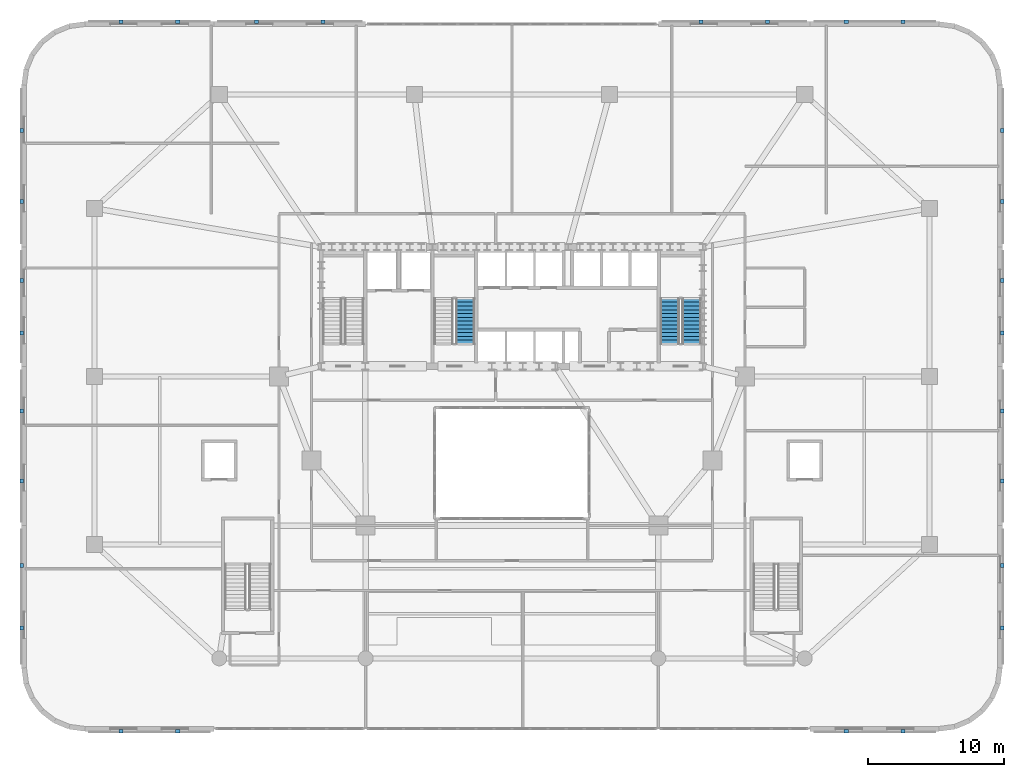
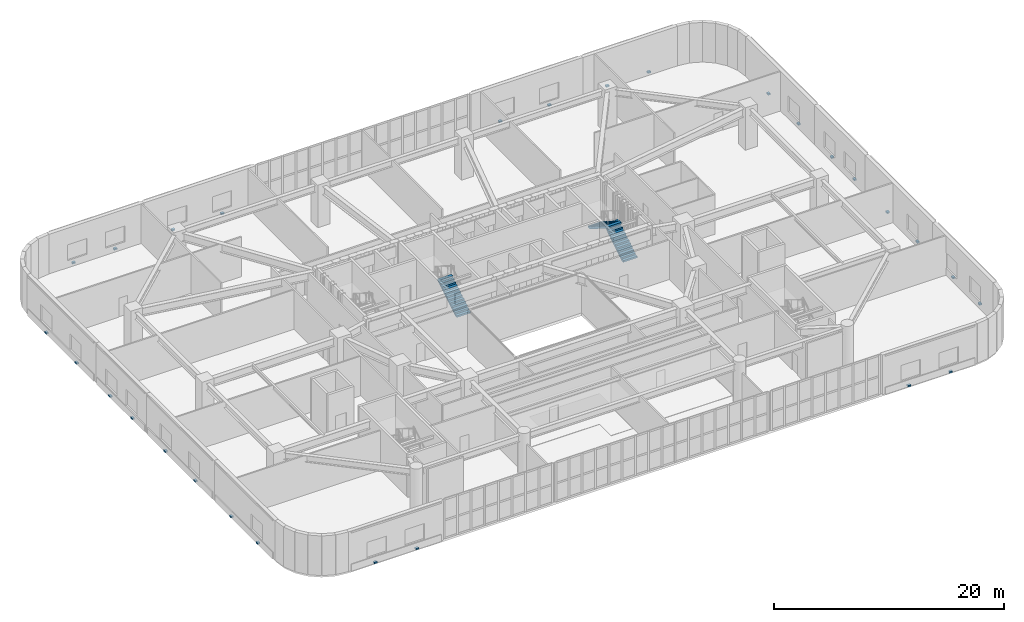
# One storey, part 18 of 25: 28 discrete accessories, 3 stair flights, 2 elements without a shape of their own.
"""IFC4 building model written with IfcOpenShell, lengths in metres."""

from ifc_helpers import new_model, si_unit, direction, frame, origin, origin_2d, place, context, subcontext, project, spatial, polyline, rectangle, outline, extrude, material, type_object, element, aggregate, save


model = new_model("IFC4")

# Units and contexts
model_context = context("Model", 3, precision=1e-05, world=origin(), true_north=direction((0.0, 1.0)))
body_context = subcontext(model_context, "Body", "Model", "MODEL_VIEW")
ifc_project = project(units=[si_unit("LENGTHUNIT", "METRE"), si_unit("AREAUNIT", "SQUARE_METRE"), si_unit("VOLUMEUNIT", "CUBIC_METRE"), si_unit("PLANEANGLEUNIT", "RADIAN"), si_unit("MASSUNIT", "GRAM", prefix="KILO")], contexts=[model_context])

# Site, building, storey
site_placement = place(None, origin())
site = spatial("IfcSite", under=ifc_project, at=site_placement, CompositionType="ELEMENT")
building_placement = place(site_placement, origin())
building = spatial("IfcBuilding", under=site, at=building_placement, Name="Haldorwick Loom Tower", CompositionType="ELEMENT")
storey_placement = place(building_placement, frame((0.0, 0.0, 10.5)))
storey = spatial("IfcBuildingStorey", under=building, at=storey_placement, Name="L02", CompositionType="ELEMENT", Elevation=10.5)

# Stair, stair flights
ifc_material_1 = material(Name="Concrete C40 (40 MPa)", Category="concrete")
stair_type = type_object("IfcStairType", Name="STR-STR-CORE", PredefinedType="HALF_TURN_STAIR", material=ifc_material_1)
stair_1_placement = place(storey_placement, origin())
stair_1 = element("IfcStair", 1, at=stair_1_placement, inside=storey, type_object=stair_type, Name="L02 Exit Stair ST-02", PredefinedType="HALF_TURN_STAIR")
stair_flight_type = type_object("IfcStairFlightType", Name="STR-STF-1250", PredefinedType="STRAIGHT", material=ifc_material_1)
stair_flight_1_placement = place(storey_placement, frame((49.25, 28.39990234375, 0.0), z_axis=(0.0, 0.0, 1.0), x_axis=(0.0, 1.0, 0.0)))
stair_flight_1 = element("IfcStairFlight", 2, at=stair_flight_1_placement, type_object=stair_flight_type, Name="ST-02 flight 1", NumberOfRisers=13, NumberOfTreads=12, PredefinedType="STRAIGHT", RiserHeight=0.173076923, TreadLength=0.28, context=body_context, shape_type="SweptSolid", body=[
    extrude(outline(polyline([(0.0, 0.0), (0.0, 0.173095703125), (0.280029296875, 0.173095703125), (0.280029296875, 0.34619140625), (0.56005859375, 0.34619140625), (0.56005859375, 0.519287109375), (0.840087890625, 0.519287109375), (0.840087890625, 0.6923828125), (1.1201171875, 0.6923828125), (1.1201171875, 0.865478515625), (1.39990234375, 0.865478515625), (1.39990234375, 1.03857421875), (1.679931640625, 1.03857421875), (1.679931640625, 1.21142578125), (1.9599609375, 1.21142578125), (1.9599609375, 1.384521484375), (2.239990234375, 1.384521484375), (2.239990234375, 1.5576171875), (2.52001953125, 1.5576171875), (2.52001953125, 1.730712890625), (2.800048828125, 1.730712890625), (2.800048828125, 1.90380859375), (3.080078125, 1.90380859375), (3.080078125, 2.076904296875), (3.360107421875, 2.076904296875), (3.360107421875, 2.25), (3.360107421875, 1.900634765625), (0.28515625, 0.0), (0.0, 0.0)])), frame((0.0, 0.699951171875, 0.0), z_axis=(0.0, -1.0, 0.0), x_axis=(1.0, 0.0, 0.0)), (0.0, 0.0, 1.0), 1.39990234375),
])
stair_flight_2_placement = place(storey_placement, frame((47.64990234375, 31.760009765625, 2.25), z_axis=(0.0, 0.0, 1.0), x_axis=(0.0, -1.0, 0.0)))
stair_flight_2 = element("IfcStairFlight", 3, at=stair_flight_2_placement, type_object=stair_flight_type, Name="ST-02 flight 2", NumberOfRisers=13, NumberOfTreads=12, PredefinedType="STRAIGHT", RiserHeight=0.173076923, TreadLength=0.28, context=body_context, shape_type="SweptSolid", body=[
    extrude(outline(polyline([(0.0, 0.0), (0.0, 0.173095703125), (0.280029296875, 0.173095703125), (0.280029296875, 0.34619140625), (0.56005859375, 0.34619140625), (0.56005859375, 0.519287109375), (0.840087890625, 0.519287109375), (0.840087890625, 0.6923828125), (1.1201171875, 0.6923828125), (1.1201171875, 0.865478515625), (1.39990234375, 0.865478515625), (1.39990234375, 1.03857421875), (1.679931640625, 1.03857421875), (1.679931640625, 1.21142578125), (1.9599609375, 1.21142578125), (1.9599609375, 1.384521484375), (2.239990234375, 1.384521484375), (2.239990234375, 1.5576171875), (2.52001953125, 1.5576171875), (2.52001953125, 1.730712890625), (2.800048828125, 1.730712890625), (2.800048828125, 1.90380859375), (3.080078125, 1.90380859375), (3.080078125, 2.076904296875), (3.360107421875, 2.076904296875), (3.360107421875, 2.25), (3.360107421875, 1.900634765625), (0.28515625, 0.0), (0.0, 0.0)])), frame((0.0, 0.699951171875, 0.0), z_axis=(0.0, -1.0, 0.0), x_axis=(1.0, 0.0, 0.0)), (0.0, 0.0, 1.0), 1.39990234375),
])
aggregate(stair_1, [stair_flight_1, stair_flight_2])

# Stair, stair flight
stair_2_placement = place(storey_placement, origin())
stair_2 = element("IfcStair", 4, at=stair_2_placement, inside=storey, type_object=stair_type, Name="L02 Exit Stair ST-03", PredefinedType="HALF_TURN_STAIR")
stair_flight_3_placement = place(storey_placement, frame((32.550048828125, 28.39990234375, 0.0), z_axis=(0.0, 0.0, 1.0), x_axis=(0.0, 1.0, 0.0)))
stair_flight_3 = element("IfcStairFlight", 5, at=stair_flight_3_placement, type_object=stair_flight_type, Name="ST-03 flight 1", NumberOfRisers=13, NumberOfTreads=12, PredefinedType="STRAIGHT", RiserHeight=0.173076923, TreadLength=0.28, context=body_context, shape_type="SweptSolid", body=[
    extrude(outline(polyline([(0.0, 0.0), (0.0, 0.173095703125), (0.280029296875, 0.173095703125), (0.280029296875, 0.34619140625), (0.56005859375, 0.34619140625), (0.56005859375, 0.519287109375), (0.840087890625, 0.519287109375), (0.840087890625, 0.6923828125), (1.1201171875, 0.6923828125), (1.1201171875, 0.865478515625), (1.39990234375, 0.865478515625), (1.39990234375, 1.03857421875), (1.679931640625, 1.03857421875), (1.679931640625, 1.21142578125), (1.9599609375, 1.21142578125), (1.9599609375, 1.384521484375), (2.239990234375, 1.384521484375), (2.239990234375, 1.5576171875), (2.52001953125, 1.5576171875), (2.52001953125, 1.730712890625), (2.800048828125, 1.730712890625), (2.800048828125, 1.90380859375), (3.080078125, 1.90380859375), (3.080078125, 2.076904296875), (3.360107421875, 2.076904296875), (3.360107421875, 2.25), (3.360107421875, 1.900634765625), (0.28515625, 0.0), (0.0, 0.0)])), frame((0.0, 0.699951171875, 0.0), z_axis=(0.0, -1.0, 0.0), x_axis=(1.0, 0.0, 0.0)), (0.0, 0.0, 1.0), 1.39990234375),
])
aggregate(stair_2, [stair_flight_3])

# Discrete accessories
ifc_material_2 = material(Name="Galvanized Steel CSA G40.21 350W", Category="steel")
discrete_accessory_type = type_object("IfcDiscreteAccessoryType", Name="ARC-ACC-BRACKET", PredefinedType="BRACKET", material=ifc_material_2)
for number, where, z_axis, x_axis, name in (
    (6, (72.179931640625, 7.43994140625, 0.0), (0.0, 0.0, 1.0), (0.0, 1.0, 0.0), "L02 Stainless Masonry Shelf Angle Bracket 7L"),
    (7, (72.179931640625, 12.06005859375, 0.0), (0.0, 0.0, 1.0), (0.0, 1.0, 0.0), "L02 Stainless Masonry Shelf Angle Bracket 7R"),
    (8, (72.179931640625, 18.2900390625, 0.0), (0.0, 0.0, 1.0), (0.0, 1.0, 0.0), "L02 Stainless Masonry Shelf Angle Bracket 8L"),
    (9, (72.179931640625, 23.4599609375, 0.0), (0.0, 0.0, 1.0), (0.0, 1.0, 0.0), "L02 Stainless Masonry Shelf Angle Bracket 8R"),
    (10, (72.179931640625, 29.214111328125, 0.0), (0.0, 0.0, 1.0), (0.0, 1.0, 0.0), "L02 Stainless Masonry Shelf Angle Bracket 9L"),
    (11, (72.179931640625, 33.0859375, 0.0), (0.0, 0.0, 1.0), (0.0, 1.0, 0.0), "L02 Stainless Masonry Shelf Angle Bracket 9R"),
    (12, (72.179931640625, 38.89599609375, 0.0), (0.0, 0.0, 1.0), (0.0, 1.0, 0.0), "L02 Stainless Masonry Shelf Angle Bracket 10L"),
    (13, (72.179931640625, 44.154052734375, 0.0), (0.0, 0.0, 1.0), (0.0, 1.0, 0.0), "L02 Stainless Masonry Shelf Angle Bracket 10R"),
    (14, (64.840087890625, 52.179931640625, 0.0), (0.0, 0.0, 1.0), (-1.0, 0.0, 0.0), "L02 Stainless Masonry Shelf Angle Bracket 17L"),
    (15, (60.659912109375, 52.179931640625, 0.0), (0.0, 0.0, 1.0), (-1.0, 0.0, 0.0), "L02 Stainless Masonry Shelf Angle Bracket 17R"),
    (16, (54.864013671875, 52.179931640625, 0.0), (0.0, 0.0, 1.0), (-1.0, 0.0, 0.0), "L02 Stainless Masonry Shelf Angle Bracket 18L"),
    (17, (49.93603515625, 52.179931640625, 0.0), (0.0, 0.0, 1.0), (-1.0, 0.0, 0.0), "L02 Stainless Masonry Shelf Angle Bracket 18R"),
    (18, (22.06396484375, 52.179931640625, 0.0), (0.0, 0.0, 1.0), (-1.0, 0.0, 0.0), "L02 Stainless Masonry Shelf Angle Bracket 20L"),
    (19, (17.135986328125, 52.179931640625, 0.0), (0.0, 0.0, 1.0), (-1.0, 0.0, 0.0), "L02 Stainless Masonry Shelf Angle Bracket 20R"),
    (20, (11.340087890625, 52.179931640625, 0.0), (0.0, 0.0, 1.0), (-1.0, 0.0, 0.0), "L02 Stainless Masonry Shelf Angle Bracket 21L"),
    (21, (7.159912109375, 52.179931640625, 0.0), (0.0, 0.0, 1.0), (-1.0, 0.0, 0.0), "L02 Stainless Masonry Shelf Angle Bracket 21R"),
    (22, (-0.179931640625, 44.154052734375, 0.0), (0.0, 0.0, 1.0), (0.0, -1.0, 0.0), "L02 Stainless Masonry Shelf Angle Bracket 28L"),
    (23, (-0.179931640625, 38.89599609375, 0.0), (0.0, 0.0, 1.0), (0.0, -1.0, 0.0), "L02 Stainless Masonry Shelf Angle Bracket 28R"),
    (24, (-0.179931640625, 33.0859375, 0.0), (0.0, 0.0, 1.0), (0.0, -1.0, 0.0), "L02 Stainless Masonry Shelf Angle Bracket 29L"),
    (25, (-0.179931640625, 29.214111328125, 0.0), (0.0, 0.0, 1.0), (0.0, -1.0, 0.0), "L02 Stainless Masonry Shelf Angle Bracket 29R"),
    (26, (-0.179931640625, 23.4599609375, 0.0), (0.0, 0.0, 1.0), (0.0, -1.0, 0.0), "L02 Stainless Masonry Shelf Angle Bracket 30L"),
    (27, (-0.179931640625, 18.2900390625, 0.0), (0.0, 0.0, 1.0), (0.0, -1.0, 0.0), "L02 Stainless Masonry Shelf Angle Bracket 30R"),
    (28, (-0.179931640625, 12.06005859375, 0.0), (0.0, 0.0, 1.0), (0.0, -1.0, 0.0), "L02 Stainless Masonry Shelf Angle Bracket 31L"),
    (29, (-0.179931640625, 7.43994140625, 0.0), (0.0, 0.0, 1.0), (0.0, -1.0, 0.0), "L02 Stainless Masonry Shelf Angle Bracket 31R"),
    (30, (7.159912109375, -0.179931640625, 0.0), (0.0, 0.0, 1.0), (1.0, 0.0, 0.0), "L02 Stainless Masonry Shelf Angle Bracket 38L"),
    (31, (11.340087890625, -0.179931640625, 0.0), (0.0, 0.0, 1.0), (1.0, 0.0, 0.0), "L02 Stainless Masonry Shelf Angle Bracket 38R"),
    (32, (60.659912109375, -0.179931640625, 0.0), (0.0, 0.0, 1.0), (1.0, 0.0, 0.0), "L02 Stainless Masonry Shelf Angle Bracket 42L"),
    (33, (64.840087890625, -0.179931640625, 0.0), (0.0, 0.0, 1.0), (1.0, 0.0, 0.0), "L02 Stainless Masonry Shelf Angle Bracket 42R"),
):
    element("IfcDiscreteAccessory", number, at=place(storey_placement, frame(where, z_axis=z_axis, x_axis=x_axis)), inside=storey, type_object=discrete_accessory_type, Name=name, PredefinedType="BRACKET", context=body_context, shape_type="SweptSolid", body=[
        extrude(rectangle(XDim=0.300048828125, YDim=0.239990234375, at=origin_2d()), origin(), (0.0, 0.0, 1.0), 0.159912109375),
    ])

save(model, "model.ifc")
